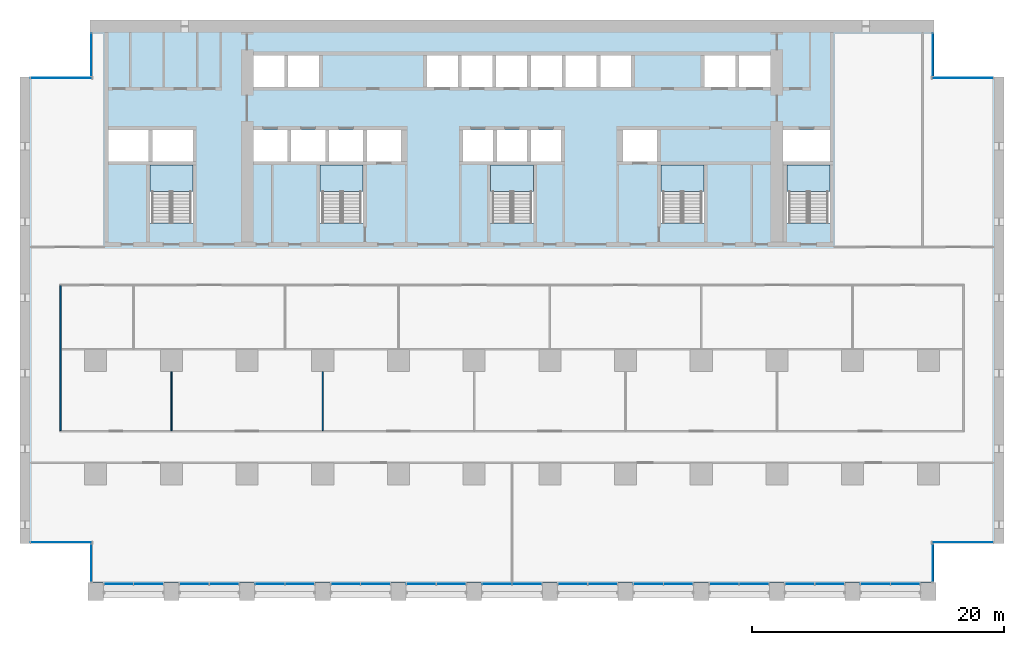
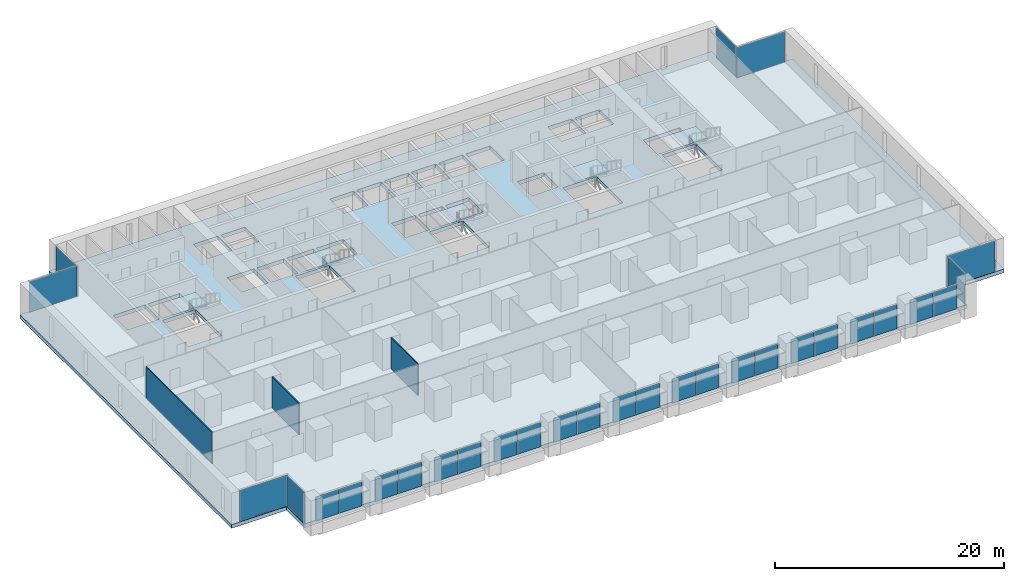
# One storey, part 7 of 18: 30 plates, 6 slabs, 3 walls, 24 elements without a shape of their own.
"""IFC4 building model written with IfcOpenShell, lengths in metres."""

from ifc_helpers import new_model, si_unit, direction, frame, frame_2d, origin, origin_2d, place, context, subcontext, project, spatial, polyline, rectangle, outline, extrude, material, layer, layer_set, type_object, element, aggregate, save


model = new_model("IFC4")

# Units and contexts
model_context = context("Model", 3, precision=1e-05, world=origin(), true_north=direction((0.0, 1.0)))
body_context = subcontext(model_context, "Body", "Model", "MODEL_VIEW")
ifc_project = project(units=[si_unit("LENGTHUNIT", "METRE"), si_unit("AREAUNIT", "SQUARE_METRE"), si_unit("VOLUMEUNIT", "CUBIC_METRE"), si_unit("PLANEANGLEUNIT", "RADIAN"), si_unit("MASSUNIT", "GRAM", prefix="KILO")], contexts=[model_context])

# Site, building, storey
site_placement = place(None, origin())
site = spatial("IfcSite", under=ifc_project, at=site_placement, CompositionType="ELEMENT")
building_placement = place(site_placement, origin())
building = spatial("IfcBuilding", under=site, at=building_placement, Name="Calvaro Tower", CompositionType="ELEMENT")
storey_placement = place(building_placement, frame((0.0, 0.0, 37.5)))
storey = spatial("IfcBuildingStorey", under=building, at=storey_placement, Name="L08", CompositionType="ELEMENT", Elevation=37.5)

# Slab
ifc_material_1 = material(Name="Concrete C40/50", Category="concrete")
ifc_layer_1 = layer(ifc_material_1, 0.39990234375)
ifc_layer_set_1 = layer_set([ifc_layer_1], Name="Concrete C40/50")
slab_type_1 = type_object("IfcSlabType", Name="Floor slab 400 C40/50", PredefinedType="FLOOR", material=ifc_layer_set_1)
slab_1_placement = place(storey_placement, frame((0.0, 0.0, -0.39990234375)))
element("IfcSlab", 1, at=slab_1_placement, inside=storey, type_object=slab_type_1, Name="Floor slab", PredefinedType="FLOOR", context=body_context, shape_type="SweptSolid", body=[
    extrude(outline(polyline([(72.449951171875, 4.5), (72.449951171875, 1.39990234375), (5.550048828125, 1.39990234375), (5.550048828125, 4.5), (0.0, 4.5), (0.0, 41.5), (5.550048828125, 41.5), (5.550048828125, 46.0), (72.449951171875, 46.0), (72.449951171875, 41.5), (78.0, 41.5), (78.0, 4.5), (72.449951171875, 4.5)]), holes=[polyline([(10.300048828125, 29.909912109375), (10.300048828125, 34.5), (12.0, 34.5), (13.699951171875, 34.5), (13.699951171875, 29.909912109375), (12.0, 29.909912109375), (10.300048828125, 29.909912109375)]), polyline([(23.800048828125, 29.909912109375), (23.800048828125, 34.5), (25.5, 34.5), (27.199951171875, 34.5), (27.199951171875, 29.909912109375), (25.5, 29.909912109375), (23.800048828125, 29.909912109375)]), polyline([(37.300048828125, 29.909912109375), (37.300048828125, 34.5), (39.0, 34.5), (40.699951171875, 34.5), (40.699951171875, 29.909912109375), (39.0, 29.909912109375), (37.300048828125, 29.909912109375)]), polyline([(50.800048828125, 29.909912109375), (50.800048828125, 34.5), (52.5, 34.5), (54.199951171875, 34.5), (54.199951171875, 29.909912109375), (52.5, 29.909912109375), (50.800048828125, 29.909912109375)]), polyline([(60.800048828125, 29.909912109375), (60.800048828125, 34.5), (62.5, 34.5), (64.199951171875, 34.5), (64.199951171875, 29.909912109375), (62.5, 29.909912109375), (60.800048828125, 29.909912109375)]), polyline([(18.5, 34.800048828125), (21.199951171875, 34.800048828125), (21.199951171875, 37.300048828125), (18.5, 37.300048828125), (18.5, 34.800048828125)]), polyline([(21.5, 34.800048828125), (24.199951171875, 34.800048828125), (24.199951171875, 37.300048828125), (21.5, 37.300048828125), (21.5, 34.800048828125)]), polyline([(24.5, 34.800048828125), (27.199951171875, 34.800048828125), (27.199951171875, 37.300048828125), (24.5, 37.300048828125), (24.5, 34.800048828125)]), polyline([(35.10009765625, 34.800048828125), (37.5, 34.800048828125), (37.5, 37.300048828125), (35.10009765625, 37.300048828125), (35.10009765625, 34.800048828125)]), polyline([(37.800048828125, 34.800048828125), (40.199951171875, 34.800048828125), (40.199951171875, 37.300048828125), (37.800048828125, 37.300048828125), (37.800048828125, 34.800048828125)]), polyline([(40.5, 34.800048828125), (42.89990234375, 34.800048828125), (42.89990234375, 37.300048828125), (40.5, 37.300048828125), (40.5, 34.800048828125)]), polyline([(18.5, 40.699951171875), (20.949951171875, 40.699951171875), (20.949951171875, 43.199951171875), (18.5, 43.199951171875), (18.5, 40.699951171875)]), polyline([(21.25, 40.699951171875), (23.699951171875, 40.699951171875), (23.699951171875, 43.199951171875), (21.25, 43.199951171875), (21.25, 40.699951171875)]), polyline([(32.25, 40.699951171875), (34.699951171875, 40.699951171875), (34.699951171875, 43.199951171875), (32.25, 43.199951171875), (32.25, 40.699951171875)]), polyline([(35.0, 40.699951171875), (37.449951171875, 40.699951171875), (37.449951171875, 43.199951171875), (35.0, 43.199951171875), (35.0, 40.699951171875)]), polyline([(37.75, 40.699951171875), (40.199951171875, 40.699951171875), (40.199951171875, 43.199951171875), (37.75, 43.199951171875), (37.75, 40.699951171875)]), polyline([(40.5, 40.699951171875), (42.949951171875, 40.699951171875), (42.949951171875, 43.199951171875), (40.5, 43.199951171875), (40.5, 40.699951171875)]), polyline([(43.25, 40.699951171875), (45.699951171875, 40.699951171875), (45.699951171875, 43.199951171875), (43.25, 43.199951171875), (43.25, 40.699951171875)]), polyline([(46.0, 40.699951171875), (48.449951171875, 40.699951171875), (48.449951171875, 43.199951171875), (46.0, 43.199951171875), (46.0, 40.699951171875)]), polyline([(54.25, 40.699951171875), (56.699951171875, 40.699951171875), (56.699951171875, 43.199951171875), (54.25, 43.199951171875), (54.25, 40.699951171875)]), polyline([(57.0, 40.699951171875), (59.5, 40.699951171875), (59.5, 43.199951171875), (57.0, 43.199951171875), (57.0, 40.699951171875)]), polyline([(7.0, 34.800048828125), (10.199951171875, 34.800048828125), (10.199951171875, 37.300048828125), (7.0, 37.300048828125), (7.0, 34.800048828125)]), polyline([(10.5, 34.800048828125), (13.699951171875, 34.800048828125), (13.699951171875, 37.300048828125), (10.5, 37.300048828125), (10.5, 34.800048828125)]), polyline([(60.5, 34.800048828125), (64.199951171875, 34.800048828125), (64.199951171875, 37.300048828125), (60.5, 37.300048828125), (60.5, 34.800048828125)]), polyline([(27.5, 34.800048828125), (30.199951171875, 34.800048828125), (30.199951171875, 37.300048828125), (27.5, 37.300048828125), (27.5, 34.800048828125)]), polyline([(47.800048828125, 34.800048828125), (50.5, 34.800048828125), (50.5, 37.300048828125), (47.800048828125, 37.300048828125), (47.800048828125, 34.800048828125)])]), origin(), (0.0, 0.0, 1.0), 0.39990234375),
])

# Curtain wall, plates
ifc_material_2 = material(Name="Anodised aluminium", Category="aluminium")
curtain_wall_type = type_object("IfcCurtainWallType", Name="Office curtain wall, lower zone", PredefinedType="NOTDEFINED", material=ifc_material_2)
curtain_wall_1_placement = place(storey_placement, origin())
curtain_wall_1 = element("IfcCurtainWall", 2, at=curtain_wall_1_placement, inside=storey, type_object=curtain_wall_type, Name="CW1 south curtain wall", PredefinedType="NOTDEFINED")
ifc_material_3 = material(Name="Glass", Category="glass")
ifc_layer_2 = layer(ifc_material_3, 0.028076171875)
ifc_layer_set_2 = layer_set([ifc_layer_2], Name="Glass")
plate_type = type_object("IfcPlateType", Name="Glass panel S1 28", PredefinedType="CURTAIN_PANEL", material=ifc_layer_set_2)
plate_1_placement = place(storey_placement, frame((7.81494140625, 1.300048828125, 0.0), z_axis=(0.0, 0.0, 1.0), x_axis=(1.0, 0.0, 0.0)))
plate_1 = element("IfcPlate", 3, at=plate_1_placement, type_object=plate_type, Name="CW1 glass panel 1.1", PredefinedType="CURTAIN_PANEL", context=body_context, shape_type="SweptSolid", body=[
    extrude(rectangle(XDim=2.31005859375, YDim=0.028076171875, at=origin_2d()), origin(), (0.0, 0.0, 1.0), 2.550048828125),
])
plate_2_placement = place(storey_placement, frame((10.18505859375, 1.300048828125, 0.0), z_axis=(0.0, 0.0, 1.0), x_axis=(1.0, 0.0, 0.0)))
plate_2 = element("IfcPlate", 4, at=plate_2_placement, type_object=plate_type, Name="CW1 glass panel 2.1", PredefinedType="CURTAIN_PANEL", context=body_context, shape_type="SweptSolid", body=[
    extrude(rectangle(XDim=2.31005859375, YDim=0.028076171875, at=origin_2d()), origin(), (0.0, 0.0, 1.0), 2.550048828125),
])
aggregate(curtain_wall_1, [plate_1, plate_2])

curtain_wall_2_placement = place(storey_placement, origin())
curtain_wall_2 = element("IfcCurtainWall", 5, at=curtain_wall_2_placement, inside=storey, type_object=curtain_wall_type, Name="CW1 south curtain wall", PredefinedType="NOTDEFINED")
plate_3_placement = place(storey_placement, frame((13.81494140625, 1.300048828125, 0.0), z_axis=(0.0, 0.0, 1.0), x_axis=(1.0, 0.0, 0.0)))
plate_3 = element("IfcPlate", 6, at=plate_3_placement, type_object=plate_type, Name="CW1 glass panel 1.1", PredefinedType="CURTAIN_PANEL", context=body_context, shape_type="SweptSolid", body=[
    extrude(rectangle(XDim=2.31005859375, YDim=0.028076171875, at=origin_2d()), origin(), (0.0, 0.0, 1.0), 2.550048828125),
])
plate_4_placement = place(storey_placement, frame((16.18505859375, 1.300048828125, 0.0), z_axis=(0.0, 0.0, 1.0), x_axis=(1.0, 0.0, 0.0)))
plate_4 = element("IfcPlate", 7, at=plate_4_placement, type_object=plate_type, Name="CW1 glass panel 2.1", PredefinedType="CURTAIN_PANEL", context=body_context, shape_type="SweptSolid", body=[
    extrude(rectangle(XDim=2.31005859375, YDim=0.028076171875, at=origin_2d()), origin(), (0.0, 0.0, 1.0), 2.550048828125),
])
aggregate(curtain_wall_2, [plate_3, plate_4])

curtain_wall_3_placement = place(storey_placement, origin())
curtain_wall_3 = element("IfcCurtainWall", 8, at=curtain_wall_3_placement, inside=storey, type_object=curtain_wall_type, Name="CW1 south curtain wall", PredefinedType="NOTDEFINED")
plate_5_placement = place(storey_placement, frame((19.81494140625, 1.300048828125, 0.0), z_axis=(0.0, 0.0, 1.0), x_axis=(1.0, 0.0, 0.0)))
plate_5 = element("IfcPlate", 9, at=plate_5_placement, type_object=plate_type, Name="CW1 glass panel 1.1", PredefinedType="CURTAIN_PANEL", context=body_context, shape_type="SweptSolid", body=[
    extrude(rectangle(XDim=2.31005859375, YDim=0.028076171875, at=origin_2d()), origin(), (0.0, 0.0, 1.0), 2.550048828125),
])
plate_6_placement = place(storey_placement, frame((22.18505859375, 1.300048828125, 0.0), z_axis=(0.0, 0.0, 1.0), x_axis=(1.0, 0.0, 0.0)))
plate_6 = element("IfcPlate", 10, at=plate_6_placement, type_object=plate_type, Name="CW1 glass panel 2.1", PredefinedType="CURTAIN_PANEL", context=body_context, shape_type="SweptSolid", body=[
    extrude(rectangle(XDim=2.31005859375, YDim=0.028076171875, at=origin_2d()), origin(), (0.0, 0.0, 1.0), 2.550048828125),
])
aggregate(curtain_wall_3, [plate_5, plate_6])

curtain_wall_4_placement = place(storey_placement, origin())
curtain_wall_4 = element("IfcCurtainWall", 11, at=curtain_wall_4_placement, inside=storey, type_object=curtain_wall_type, Name="CW1 south curtain wall", PredefinedType="NOTDEFINED")
plate_7_placement = place(storey_placement, frame((25.81494140625, 1.300048828125, 0.0), z_axis=(0.0, 0.0, 1.0), x_axis=(1.0, 0.0, 0.0)))
plate_7 = element("IfcPlate", 12, at=plate_7_placement, type_object=plate_type, Name="CW1 glass panel 1.1", PredefinedType="CURTAIN_PANEL", context=body_context, shape_type="SweptSolid", body=[
    extrude(rectangle(XDim=2.31005859375, YDim=0.028076171875, at=origin_2d()), origin(), (0.0, 0.0, 1.0), 2.550048828125),
])
plate_8_placement = place(storey_placement, frame((28.18505859375, 1.300048828125, 0.0), z_axis=(0.0, 0.0, 1.0), x_axis=(1.0, 0.0, 0.0)))
plate_8 = element("IfcPlate", 13, at=plate_8_placement, type_object=plate_type, Name="CW1 glass panel 2.1", PredefinedType="CURTAIN_PANEL", context=body_context, shape_type="SweptSolid", body=[
    extrude(rectangle(XDim=2.31005859375, YDim=0.028076171875, at=origin_2d()), origin(), (0.0, 0.0, 1.0), 2.550048828125),
])
aggregate(curtain_wall_4, [plate_7, plate_8])

curtain_wall_5_placement = place(storey_placement, origin())
curtain_wall_5 = element("IfcCurtainWall", 14, at=curtain_wall_5_placement, inside=storey, type_object=curtain_wall_type, Name="CW1 south curtain wall", PredefinedType="NOTDEFINED")
plate_9_placement = place(storey_placement, frame((31.81494140625, 1.300048828125, 0.0), z_axis=(0.0, 0.0, 1.0), x_axis=(1.0, 0.0, 0.0)))
plate_9 = element("IfcPlate", 15, at=plate_9_placement, type_object=plate_type, Name="CW1 glass panel 1.1", PredefinedType="CURTAIN_PANEL", context=body_context, shape_type="SweptSolid", body=[
    extrude(rectangle(XDim=2.31005859375, YDim=0.028076171875, at=origin_2d()), origin(), (0.0, 0.0, 1.0), 2.550048828125),
])
plate_10_placement = place(storey_placement, frame((34.18505859375, 1.300048828125, 0.0), z_axis=(0.0, 0.0, 1.0), x_axis=(1.0, 0.0, 0.0)))
plate_10 = element("IfcPlate", 16, at=plate_10_placement, type_object=plate_type, Name="CW1 glass panel 2.1", PredefinedType="CURTAIN_PANEL", context=body_context, shape_type="SweptSolid", body=[
    extrude(rectangle(XDim=2.31005859375, YDim=0.028076171875, at=origin_2d()), origin(), (0.0, 0.0, 1.0), 2.550048828125),
])
aggregate(curtain_wall_5, [plate_9, plate_10])

curtain_wall_6_placement = place(storey_placement, origin())
curtain_wall_6 = element("IfcCurtainWall", 17, at=curtain_wall_6_placement, inside=storey, type_object=curtain_wall_type, Name="CW1 south curtain wall", PredefinedType="NOTDEFINED")
plate_11_placement = place(storey_placement, frame((37.81494140625, 1.300048828125, 0.0), z_axis=(0.0, 0.0, 1.0), x_axis=(1.0, 0.0, 0.0)))
plate_11 = element("IfcPlate", 18, at=plate_11_placement, type_object=plate_type, Name="CW1 glass panel 1.1", PredefinedType="CURTAIN_PANEL", context=body_context, shape_type="SweptSolid", body=[
    extrude(rectangle(XDim=2.31005859375, YDim=0.028076171875, at=origin_2d()), origin(), (0.0, 0.0, 1.0), 2.550048828125),
])
plate_12_placement = place(storey_placement, frame((40.18505859375, 1.300048828125, 0.0), z_axis=(0.0, 0.0, 1.0), x_axis=(1.0, 0.0, 0.0)))
plate_12 = element("IfcPlate", 19, at=plate_12_placement, type_object=plate_type, Name="CW1 glass panel 2.1", PredefinedType="CURTAIN_PANEL", context=body_context, shape_type="SweptSolid", body=[
    extrude(rectangle(XDim=2.31005859375, YDim=0.028076171875, at=origin_2d()), origin(), (0.0, 0.0, 1.0), 2.550048828125),
])
aggregate(curtain_wall_6, [plate_11, plate_12])

curtain_wall_7_placement = place(storey_placement, origin())
curtain_wall_7 = element("IfcCurtainWall", 20, at=curtain_wall_7_placement, inside=storey, type_object=curtain_wall_type, Name="CW1 south curtain wall", PredefinedType="NOTDEFINED")
plate_13_placement = place(storey_placement, frame((43.81494140625, 1.300048828125, 0.0), z_axis=(0.0, 0.0, 1.0), x_axis=(1.0, 0.0, 0.0)))
plate_13 = element("IfcPlate", 21, at=plate_13_placement, type_object=plate_type, Name="CW1 glass panel 1.1", PredefinedType="CURTAIN_PANEL", context=body_context, shape_type="SweptSolid", body=[
    extrude(rectangle(XDim=2.31005859375, YDim=0.028076171875, at=origin_2d()), origin(), (0.0, 0.0, 1.0), 2.550048828125),
])
plate_14_placement = place(storey_placement, frame((46.18505859375, 1.300048828125, 0.0), z_axis=(0.0, 0.0, 1.0), x_axis=(1.0, 0.0, 0.0)))
plate_14 = element("IfcPlate", 22, at=plate_14_placement, type_object=plate_type, Name="CW1 glass panel 2.1", PredefinedType="CURTAIN_PANEL", context=body_context, shape_type="SweptSolid", body=[
    extrude(rectangle(XDim=2.31005859375, YDim=0.028076171875, at=origin_2d()), origin(), (0.0, 0.0, 1.0), 2.550048828125),
])
aggregate(curtain_wall_7, [plate_13, plate_14])

curtain_wall_8_placement = place(storey_placement, origin())
curtain_wall_8 = element("IfcCurtainWall", 23, at=curtain_wall_8_placement, inside=storey, type_object=curtain_wall_type, Name="CW1 south curtain wall", PredefinedType="NOTDEFINED")
plate_15_placement = place(storey_placement, frame((49.81494140625, 1.300048828125, 0.0), z_axis=(0.0, 0.0, 1.0), x_axis=(1.0, 0.0, 0.0)))
plate_15 = element("IfcPlate", 24, at=plate_15_placement, type_object=plate_type, Name="CW1 glass panel 1.1", PredefinedType="CURTAIN_PANEL", context=body_context, shape_type="SweptSolid", body=[
    extrude(rectangle(XDim=2.31005859375, YDim=0.028076171875, at=origin_2d()), origin(), (0.0, 0.0, 1.0), 2.550048828125),
])
plate_16_placement = place(storey_placement, frame((52.18505859375, 1.300048828125, 0.0), z_axis=(0.0, 0.0, 1.0), x_axis=(1.0, 0.0, 0.0)))
plate_16 = element("IfcPlate", 25, at=plate_16_placement, type_object=plate_type, Name="CW1 glass panel 2.1", PredefinedType="CURTAIN_PANEL", context=body_context, shape_type="SweptSolid", body=[
    extrude(rectangle(XDim=2.31005859375, YDim=0.028076171875, at=origin_2d()), origin(), (0.0, 0.0, 1.0), 2.550048828125),
])
aggregate(curtain_wall_8, [plate_15, plate_16])

curtain_wall_9_placement = place(storey_placement, origin())
curtain_wall_9 = element("IfcCurtainWall", 26, at=curtain_wall_9_placement, inside=storey, type_object=curtain_wall_type, Name="CW1 south curtain wall", PredefinedType="NOTDEFINED")
plate_17_placement = place(storey_placement, frame((55.81494140625, 1.300048828125, 0.0), z_axis=(0.0, 0.0, 1.0), x_axis=(1.0, 0.0, 0.0)))
plate_17 = element("IfcPlate", 27, at=plate_17_placement, type_object=plate_type, Name="CW1 glass panel 1.1", PredefinedType="CURTAIN_PANEL", context=body_context, shape_type="SweptSolid", body=[
    extrude(rectangle(XDim=2.31005859375, YDim=0.028076171875, at=origin_2d()), origin(), (0.0, 0.0, 1.0), 2.550048828125),
])
plate_18_placement = place(storey_placement, frame((58.18505859375, 1.300048828125, 0.0), z_axis=(0.0, 0.0, 1.0), x_axis=(1.0, 0.0, 0.0)))
plate_18 = element("IfcPlate", 28, at=plate_18_placement, type_object=plate_type, Name="CW1 glass panel 2.1", PredefinedType="CURTAIN_PANEL", context=body_context, shape_type="SweptSolid", body=[
    extrude(rectangle(XDim=2.31005859375, YDim=0.028076171875, at=origin_2d()), origin(), (0.0, 0.0, 1.0), 2.550048828125),
])
aggregate(curtain_wall_9, [plate_17, plate_18])

curtain_wall_10_placement = place(storey_placement, origin())
curtain_wall_10 = element("IfcCurtainWall", 29, at=curtain_wall_10_placement, inside=storey, type_object=curtain_wall_type, Name="CW1 south curtain wall", PredefinedType="NOTDEFINED")
plate_19_placement = place(storey_placement, frame((61.81494140625, 1.300048828125, 0.0), z_axis=(0.0, 0.0, 1.0), x_axis=(1.0, 0.0, 0.0)))
plate_19 = element("IfcPlate", 30, at=plate_19_placement, type_object=plate_type, Name="CW1 glass panel 1.1", PredefinedType="CURTAIN_PANEL", context=body_context, shape_type="SweptSolid", body=[
    extrude(rectangle(XDim=2.31005859375, YDim=0.028076171875, at=origin_2d()), origin(), (0.0, 0.0, 1.0), 2.550048828125),
])
plate_20_placement = place(storey_placement, frame((64.18505859375, 1.300048828125, 0.0), z_axis=(0.0, 0.0, 1.0), x_axis=(1.0, 0.0, 0.0)))
plate_20 = element("IfcPlate", 31, at=plate_20_placement, type_object=plate_type, Name="CW1 glass panel 2.1", PredefinedType="CURTAIN_PANEL", context=body_context, shape_type="SweptSolid", body=[
    extrude(rectangle(XDim=2.31005859375, YDim=0.028076171875, at=origin_2d()), origin(), (0.0, 0.0, 1.0), 2.550048828125),
])
aggregate(curtain_wall_10, [plate_19, plate_20])

curtain_wall_11_placement = place(storey_placement, origin())
curtain_wall_11 = element("IfcCurtainWall", 32, at=curtain_wall_11_placement, inside=storey, type_object=curtain_wall_type, Name="CW1 south curtain wall", PredefinedType="NOTDEFINED")
plate_21_placement = place(storey_placement, frame((67.81494140625, 1.300048828125, 0.0), z_axis=(0.0, 0.0, 1.0), x_axis=(1.0, 0.0, 0.0)))
plate_21 = element("IfcPlate", 33, at=plate_21_placement, type_object=plate_type, Name="CW1 glass panel 1.1", PredefinedType="CURTAIN_PANEL", context=body_context, shape_type="SweptSolid", body=[
    extrude(rectangle(XDim=2.31005859375, YDim=0.028076171875, at=origin_2d()), origin(), (0.0, 0.0, 1.0), 2.550048828125),
])
plate_22_placement = place(storey_placement, frame((70.18505859375, 1.300048828125, 0.0), z_axis=(0.0, 0.0, 1.0), x_axis=(1.0, 0.0, 0.0)))
plate_22 = element("IfcPlate", 34, at=plate_22_placement, type_object=plate_type, Name="CW1 glass panel 2.1", PredefinedType="CURTAIN_PANEL", context=body_context, shape_type="SweptSolid", body=[
    extrude(rectangle(XDim=2.31005859375, YDim=0.028076171875, at=origin_2d()), origin(), (0.0, 0.0, 1.0), 2.550048828125),
])
aggregate(curtain_wall_11, [plate_21, plate_22])

# Curtain wall, plate
curtain_wall_12_placement = place(storey_placement, origin())
curtain_wall_12 = element("IfcCurtainWall", 35, at=curtain_wall_12_placement, inside=storey, type_object=curtain_wall_type, Name="CW1 corner curtain wall", PredefinedType="NOTDEFINED")
plate_23_placement = place(storey_placement, frame((5.64990234375, 2.949951171875, 0.0), z_axis=(0.0, 0.0, 1.0), x_axis=(0.0, 1.0, 0.0)))
plate_23 = element("IfcPlate", 36, at=plate_23_placement, type_object=plate_type, Name="CW1 glass panel 1.1", PredefinedType="CURTAIN_PANEL", context=body_context, shape_type="SweptSolid", body=[
    extrude(rectangle(XDim=2.97998046875, YDim=0.028076171875, at=origin_2d()), origin(), (0.0, 0.0, 1.0), 3.25),
])
aggregate(curtain_wall_12, [plate_23])

curtain_wall_13_placement = place(storey_placement, origin())
curtain_wall_13 = element("IfcCurtainWall", 37, at=curtain_wall_13_placement, inside=storey, type_object=curtain_wall_type, Name="CW1 corner curtain wall", PredefinedType="NOTDEFINED")
plate_24_placement = place(storey_placement, frame((3.27490234375, 4.60009765625, 0.0), z_axis=(0.0, 0.0, 1.0), x_axis=(1.0, 0.0, 0.0)))
plate_24 = element("IfcPlate", 38, at=plate_24_placement, type_object=plate_type, Name="CW1 glass panel 1.1", PredefinedType="CURTAIN_PANEL", context=body_context, shape_type="SweptSolid", body=[
    extrude(rectangle(XDim=4.830078125, YDim=0.028076171875, at=origin_2d()), origin(), (0.0, 0.0, 1.0), 3.25),
])
aggregate(curtain_wall_13, [plate_24])

curtain_wall_14_placement = place(storey_placement, origin())
curtain_wall_14 = element("IfcCurtainWall", 39, at=curtain_wall_14_placement, inside=storey, type_object=curtain_wall_type, Name="CW1 corner curtain wall", PredefinedType="NOTDEFINED")
plate_25_placement = place(storey_placement, frame((5.64990234375, 43.25, 0.0), z_axis=(0.0, 0.0, 1.0), x_axis=(0.0, 1.0, 0.0)))
plate_25 = element("IfcPlate", 40, at=plate_25_placement, type_object=plate_type, Name="CW1 glass panel 1.1", PredefinedType="CURTAIN_PANEL", context=body_context, shape_type="SweptSolid", body=[
    extrude(rectangle(XDim=3.3798828125, YDim=0.028076171875, at=origin_2d()), origin(), (0.0, 0.0, 1.0), 3.25),
])
aggregate(curtain_wall_14, [plate_25])

curtain_wall_15_placement = place(storey_placement, origin())
curtain_wall_15 = element("IfcCurtainWall", 41, at=curtain_wall_15_placement, inside=storey, type_object=curtain_wall_type, Name="CW1 corner curtain wall", PredefinedType="NOTDEFINED")
plate_26_placement = place(storey_placement, frame((3.27490234375, 41.39990234375, 0.0), z_axis=(0.0, 0.0, 1.0), x_axis=(1.0, 0.0, 0.0)))
plate_26 = element("IfcPlate", 42, at=plate_26_placement, type_object=plate_type, Name="CW1 glass panel 1.1", PredefinedType="CURTAIN_PANEL", context=body_context, shape_type="SweptSolid", body=[
    extrude(rectangle(XDim=4.830078125, YDim=0.028076171875, at=origin_2d()), origin(), (0.0, 0.0, 1.0), 3.25),
])
aggregate(curtain_wall_15, [plate_26])

curtain_wall_16_placement = place(storey_placement, origin())
curtain_wall_16 = element("IfcCurtainWall", 43, at=curtain_wall_16_placement, inside=storey, type_object=curtain_wall_type, Name="CW1 corner curtain wall", PredefinedType="NOTDEFINED")
plate_27_placement = place(storey_placement, frame((72.35009765625, 2.949951171875, 0.0), z_axis=(0.0, 0.0, 1.0), x_axis=(0.0, 1.0, 0.0)))
plate_27 = element("IfcPlate", 44, at=plate_27_placement, type_object=plate_type, Name="CW1 glass panel 1.1", PredefinedType="CURTAIN_PANEL", context=body_context, shape_type="SweptSolid", body=[
    extrude(rectangle(XDim=2.97998046875, YDim=0.028076171875, at=origin_2d()), origin(), (0.0, 0.0, 1.0), 3.25),
])
aggregate(curtain_wall_16, [plate_27])

curtain_wall_17_placement = place(storey_placement, origin())
curtain_wall_17 = element("IfcCurtainWall", 45, at=curtain_wall_17_placement, inside=storey, type_object=curtain_wall_type, Name="CW1 corner curtain wall", PredefinedType="NOTDEFINED")
plate_28_placement = place(storey_placement, frame((74.72509765625, 4.60009765625, 0.0), z_axis=(0.0, 0.0, 1.0), x_axis=(1.0, 0.0, 0.0)))
plate_28 = element("IfcPlate", 46, at=plate_28_placement, type_object=plate_type, Name="CW1 glass panel 1.1", PredefinedType="CURTAIN_PANEL", context=body_context, shape_type="SweptSolid", body=[
    extrude(rectangle(XDim=4.830078125, YDim=0.028076171875, at=origin_2d()), origin(), (0.0, 0.0, 1.0), 3.25),
])
aggregate(curtain_wall_17, [plate_28])

curtain_wall_18_placement = place(storey_placement, origin())
curtain_wall_18 = element("IfcCurtainWall", 47, at=curtain_wall_18_placement, inside=storey, type_object=curtain_wall_type, Name="CW1 corner curtain wall", PredefinedType="NOTDEFINED")
plate_29_placement = place(storey_placement, frame((72.35009765625, 43.25, 0.0), z_axis=(0.0, 0.0, 1.0), x_axis=(0.0, 1.0, 0.0)))
plate_29 = element("IfcPlate", 48, at=plate_29_placement, type_object=plate_type, Name="CW1 glass panel 1.1", PredefinedType="CURTAIN_PANEL", context=body_context, shape_type="SweptSolid", body=[
    extrude(rectangle(XDim=3.3798828125, YDim=0.028076171875, at=origin_2d()), origin(), (0.0, 0.0, 1.0), 3.25),
])
aggregate(curtain_wall_18, [plate_29])

curtain_wall_19_placement = place(storey_placement, origin())
curtain_wall_19 = element("IfcCurtainWall", 49, at=curtain_wall_19_placement, inside=storey, type_object=curtain_wall_type, Name="CW1 corner curtain wall", PredefinedType="NOTDEFINED")
plate_30_placement = place(storey_placement, frame((74.72509765625, 41.39990234375, 0.0), z_axis=(0.0, 0.0, 1.0), x_axis=(1.0, 0.0, 0.0)))
plate_30 = element("IfcPlate", 50, at=plate_30_placement, type_object=plate_type, Name="CW1 glass panel 1.1", PredefinedType="CURTAIN_PANEL", context=body_context, shape_type="SweptSolid", body=[
    extrude(rectangle(XDim=4.830078125, YDim=0.028076171875, at=origin_2d()), origin(), (0.0, 0.0, 1.0), 3.25),
])
aggregate(curtain_wall_19, [plate_30])

# Stair, slab
ifc_material_4 = material(Name="Concrete C40/50", Category="concrete")
stair_type = type_object("IfcStairType", Name="Exit stair 1400 2 flights", PredefinedType="HALF_TURN_STAIR", material=ifc_material_4)
stair_1_placement = place(storey_placement, origin())
stair_1 = element("IfcStair", 51, at=stair_1_placement, inside=storey, type_object=stair_type, Name="Exit stair S1", PredefinedType="HALF_TURN_STAIR")
ifc_material_5 = material(Name="Concrete C40/50", Category="concrete")
ifc_layer_3 = layer(ifc_material_5, 0.199951171875)
ifc_layer_set_3 = layer_set([ifc_layer_3], Name="Concrete C40/50")
slab_type_2 = type_object("IfcSlabType", Name="Stair landing", PredefinedType="LANDING", material=ifc_layer_set_3)
slab_2_placement = place(storey_placement, frame((0.0, 0.0, 1.675048828125)))
slab_2 = element("IfcSlab", 52, at=slab_2_placement, type_object=slab_type_2, Name="Exit stair 1, landing 1", PredefinedType="LANDING", context=body_context, shape_type="SweptSolid", body=[
    extrude(outline(polyline([(11.89990234375, 32.389892578125), (10.5, 32.389892578125), (10.5, 32.39990234375), (10.300048828125, 32.39990234375), (10.300048828125, 34.5), (10.5, 34.5), (11.89990234375, 34.5), (12.10009765625, 34.5), (13.5, 34.5), (13.699951171875, 34.5), (13.699951171875, 32.39990234375), (13.5, 32.39990234375), (13.5, 32.389892578125), (12.10009765625, 32.389892578125), (12.10009765625, 32.39990234375), (11.89990234375, 32.39990234375), (11.89990234375, 32.389892578125)])), origin(), (0.0, 0.0, 1.0), 0.199951171875),
])
aggregate(stair_1, [slab_2])

stair_2_placement = place(storey_placement, origin())
stair_2 = element("IfcStair", 53, at=stair_2_placement, inside=storey, type_object=stair_type, Name="Exit stair S2", PredefinedType="HALF_TURN_STAIR")
slab_3_placement = place(storey_placement, frame((0.0, 0.0, 1.675048828125)))
slab_3 = element("IfcSlab", 54, at=slab_3_placement, type_object=slab_type_2, Name="Exit stair 2, landing 1", PredefinedType="LANDING", context=body_context, shape_type="SweptSolid", body=[
    extrude(outline(polyline([(25.39990234375, 32.389892578125), (24.0, 32.389892578125), (24.0, 32.39990234375), (23.800048828125, 32.39990234375), (23.800048828125, 34.5), (24.0, 34.5), (25.39990234375, 34.5), (25.60009765625, 34.5), (27.0, 34.5), (27.199951171875, 34.5), (27.199951171875, 32.39990234375), (27.0, 32.39990234375), (27.0, 32.389892578125), (25.60009765625, 32.389892578125), (25.60009765625, 32.39990234375), (25.39990234375, 32.39990234375), (25.39990234375, 32.389892578125)])), origin(), (0.0, 0.0, 1.0), 0.199951171875),
])
aggregate(stair_2, [slab_3])

stair_3_placement = place(storey_placement, origin())
stair_3 = element("IfcStair", 55, at=stair_3_placement, inside=storey, type_object=stair_type, Name="Exit stair S3", PredefinedType="HALF_TURN_STAIR")
slab_4_placement = place(storey_placement, frame((0.0, 0.0, 1.675048828125)))
slab_4 = element("IfcSlab", 56, at=slab_4_placement, type_object=slab_type_2, Name="Exit stair 3, landing 1", PredefinedType="LANDING", context=body_context, shape_type="SweptSolid", body=[
    extrude(outline(polyline([(38.89990234375, 32.389892578125), (37.5, 32.389892578125), (37.5, 32.39990234375), (37.300048828125, 32.39990234375), (37.300048828125, 34.5), (37.5, 34.5), (38.89990234375, 34.5), (39.10009765625, 34.5), (40.5, 34.5), (40.699951171875, 34.5), (40.699951171875, 32.39990234375), (40.5, 32.39990234375), (40.5, 32.389892578125), (39.10009765625, 32.389892578125), (39.10009765625, 32.39990234375), (38.89990234375, 32.39990234375), (38.89990234375, 32.389892578125)])), origin(), (0.0, 0.0, 1.0), 0.199951171875),
])
aggregate(stair_3, [slab_4])

stair_4_placement = place(storey_placement, origin())
stair_4 = element("IfcStair", 57, at=stair_4_placement, inside=storey, type_object=stair_type, Name="Exit stair S4", PredefinedType="HALF_TURN_STAIR")
slab_5_placement = place(storey_placement, frame((0.0, 0.0, 1.675048828125)))
slab_5 = element("IfcSlab", 58, at=slab_5_placement, type_object=slab_type_2, Name="Exit stair 4, landing 1", PredefinedType="LANDING", context=body_context, shape_type="SweptSolid", body=[
    extrude(outline(polyline([(52.39990234375, 32.389892578125), (51.0, 32.389892578125), (51.0, 32.39990234375), (50.800048828125, 32.39990234375), (50.800048828125, 34.5), (51.0, 34.5), (52.39990234375, 34.5), (52.60009765625, 34.5), (54.0, 34.5), (54.199951171875, 34.5), (54.199951171875, 32.39990234375), (54.0, 32.39990234375), (54.0, 32.389892578125), (52.60009765625, 32.389892578125), (52.60009765625, 32.39990234375), (52.39990234375, 32.39990234375), (52.39990234375, 32.389892578125)])), origin(), (0.0, 0.0, 1.0), 0.199951171875),
])
aggregate(stair_4, [slab_5])

stair_5_placement = place(storey_placement, origin())
stair_5 = element("IfcStair", 59, at=stair_5_placement, inside=storey, type_object=stair_type, Name="Exit stair S5", PredefinedType="HALF_TURN_STAIR")
slab_6_placement = place(storey_placement, frame((0.0, 0.0, 1.675048828125)))
slab_6 = element("IfcSlab", 60, at=slab_6_placement, type_object=slab_type_2, Name="Exit stair 5, landing 1", PredefinedType="LANDING", context=body_context, shape_type="SweptSolid", body=[
    extrude(outline(polyline([(62.39990234375, 32.389892578125), (61.0, 32.389892578125), (61.0, 32.39990234375), (60.800048828125, 32.39990234375), (60.800048828125, 34.5), (61.0, 34.5), (62.39990234375, 34.5), (62.60009765625, 34.5), (64.0, 34.5), (64.199951171875, 34.5), (64.199951171875, 32.39990234375), (64.0, 32.39990234375), (64.0, 32.389892578125), (62.60009765625, 32.389892578125), (62.60009765625, 32.39990234375), (62.39990234375, 32.39990234375), (62.39990234375, 32.389892578125)])), origin(), (0.0, 0.0, 1.0), 0.199951171875),
])
aggregate(stair_5, [slab_6])

# Walls
ifc_material_6 = material(Name="Plasterboard on steel studs", Category="steel")
ifc_layer_4 = layer(ifc_material_6, 0.10009765625)
ifc_layer_set_4 = layer_set([ifc_layer_4], Name="Plasterboard on steel studs")
wall_type = type_object("IfcWallType", Name="Partition 100", PredefinedType="PARTITIONING", material=ifc_layer_set_4)
wall_placement = place(storey_placement, frame((3.199951171875, 13.449951171875, 0.0), z_axis=(0.0, 0.0, 1.0), x_axis=(0.0, 1.0, 0.0)))
element("IfcWall", 61, at=wall_placement, inside=storey, type_object=wall_type, Name="Partition T09.W007", PredefinedType="PARTITIONING", context=body_context, shape_type="SweptSolid", body=[
    extrude(rectangle(XDim=11.5, YDim=0.10009765625, at=frame_2d((5.75, 0.0))), origin(), (0.0, 0.0, 1.0), 3.35009765625),
])
for number, where, z_axis, x_axis, name in (
    (62, (12.0, 13.449951171875, 0.0), (0.0, 0.0, 1.0), (0.0, 1.0, 0.0), "Partition T09.W009"),
    (63, (24.0, 13.449951171875, 0.0), (0.0, 0.0, 1.0), (0.0, 1.0, 0.0), "Partition T09.W011"),
):
    element("IfcWall", number, at=place(storey_placement, frame(where, z_axis=z_axis, x_axis=x_axis)), inside=storey, type_object=wall_type, Name=name, PredefinedType="PARTITIONING", context=body_context, shape_type="SweptSolid", body=[
        extrude(rectangle(XDim=4.675048828125, YDim=0.10009765625, at=frame_2d((2.33740234375, 0.0))), origin(), (0.0, 0.0, 1.0), 3.35009765625),
    ])

save(model, "model.ifc")
